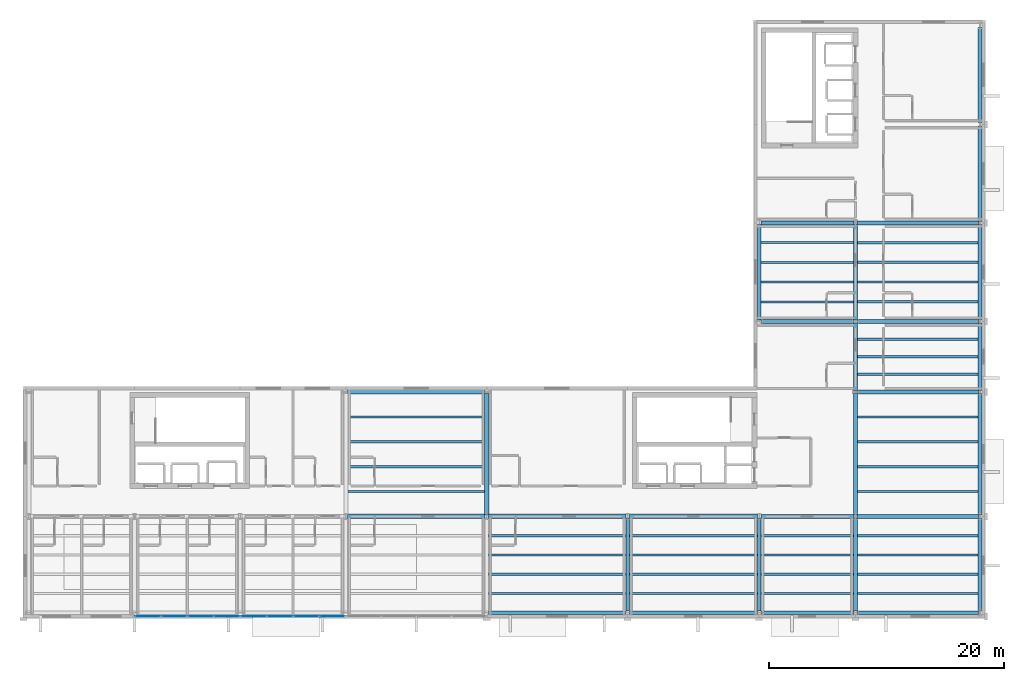
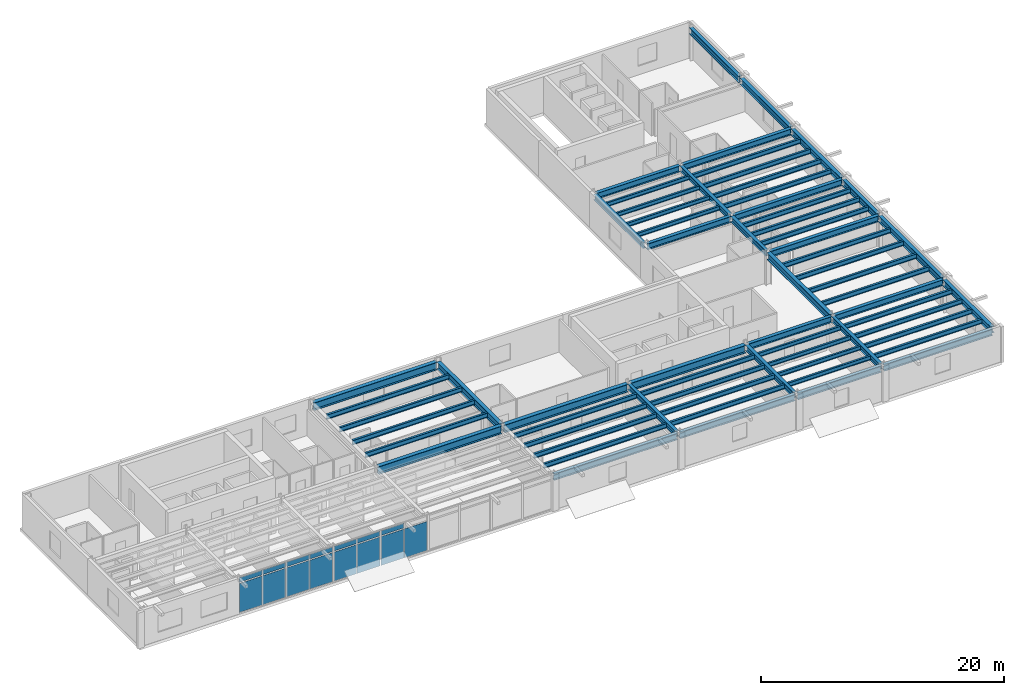
# One storey, part 10 of 19: 64 beams, 15 plates, 4 elements without a shape of their own.
"""IFC4 building model written with IfcOpenShell, lengths in metres."""

from ifc_helpers import new_model, si_unit, direction, frame, origin, origin_2d, place, context, subcontext, project, spatial, rectangle, i_section, extrude, material, layer, layer_set, material_profile, profile_set, type_object, element, aggregate, save


model = new_model("IFC4")

# Units and contexts
model_context = context("Model", 3, precision=1e-05, world=origin(), true_north=direction((0.0, 1.0)))
body_context = subcontext(model_context, "Body", "Model", "MODEL_VIEW")
ifc_project = project(units=[si_unit("LENGTHUNIT", "METRE"), si_unit("AREAUNIT", "SQUARE_METRE"), si_unit("VOLUMEUNIT", "CUBIC_METRE"), si_unit("PLANEANGLEUNIT", "RADIAN"), si_unit("MASSUNIT", "GRAM", prefix="KILO")], contexts=[model_context])

# Site, building, storey
site_placement = place(None, origin())
site = spatial("IfcSite", under=ifc_project, at=site_placement, CompositionType="ELEMENT")
building_placement = place(site_placement, origin())
building = spatial("IfcBuilding", under=site, at=building_placement, Name="Sollismere Congress Hotel", CompositionType="ELEMENT")
storey_placement = place(building_placement, frame((0.0, 0.0, 44.60009765625)))
storey = spatial("IfcBuildingStorey", under=building, at=storey_placement, Name="L11", CompositionType="ELEMENT", Elevation=44.60009765625)

# Beams
ifc_material_1 = material(Name="Steel ASTM A992 Grade 50", Category="steel")
ifc_material_profile_1 = material_profile(ifc_material_1, i_section(OverallWidth=0.31494140625, OverallDepth=0.551025390625, WebThickness=0.01513671875, FlangeThickness=0.0244140625, at=origin_2d()), Name="W21X122")
ifc_profile_set_1 = profile_set([ifc_material_profile_1], Name="Steel ASTM A992 Grade 50")
beam_type_1 = type_object("IfcBeamType", Name="BM-G21H", PredefinedType="BEAM", material=ifc_profile_set_1)
for number, where, z_axis, x_axis, name in (
    (1, (136.0, 0.139892578125, 3.04931640625), (0.0, 1.0, 0.0), (-1.0, 0.0, 0.0), "Beam BM-L11-3770"),
    (2, (147.199951171875, 0.139892578125, 3.04931640625), (0.0, 1.0, 0.0), (-1.0, 0.0, 0.0), "Beam BM-L11-3771"),
):
    element("IfcBeam", number, at=place(storey_placement, frame(where, z_axis=z_axis, x_axis=x_axis)), inside=storey, type_object=beam_type_1, Name=name, PredefinedType="BEAM", context=body_context, shape_type="SweptSolid", body=[
        extrude(i_section(OverallWidth=0.31494140625, OverallDepth=0.551025390625, WebThickness=0.01513671875, FlangeThickness=0.0244140625, at=origin_2d()), origin(), (0.0, 0.0, 1.0), 7.920166015625),
    ])
beam_1_placement = place(storey_placement, frame((147.199951171875, 24.93994140625, 3.04931640625), z_axis=(0.0, 1.0, 0.0), x_axis=(-1.0, 0.0, 0.0)))
element("IfcBeam", 3, at=beam_1_placement, inside=storey, type_object=beam_type_1, Name="Beam BM-L11-3772", PredefinedType="BEAM", context=body_context, shape_type="SweptSolid", body=[
    extrude(i_section(OverallWidth=0.31494140625, OverallDepth=0.551025390625, WebThickness=0.01513671875, FlangeThickness=0.0244140625, at=origin_2d()), origin(), (0.0, 0.0, 1.0), 8.1201171875),
])
beam_2_placement = place(storey_placement, frame((155.39990234375, 0.139892578125, 3.04931640625), z_axis=(0.0, 1.0, 0.0), x_axis=(-1.0, 0.0, 0.0)))
element("IfcBeam", 4, at=beam_2_placement, inside=storey, type_object=beam_type_1, Name="Beam BM-L11-3773", PredefinedType="BEAM", context=body_context, shape_type="SweptSolid", body=[
    extrude(i_section(OverallWidth=0.31494140625, OverallDepth=0.551025390625, WebThickness=0.01513671875, FlangeThickness=0.0244140625, at=origin_2d()), origin(), (0.0, 0.0, 1.0), 7.920166015625),
])
beam_3_placement = place(storey_placement, frame((155.39990234375, 18.93994140625, 3.04931640625), z_axis=(0.0, 1.0, 0.0), x_axis=(-1.0, 0.0, 0.0)))
element("IfcBeam", 5, at=beam_3_placement, inside=storey, type_object=beam_type_1, Name="Beam BM-L11-3775", PredefinedType="BEAM", context=body_context, shape_type="SweptSolid", body=[
    extrude(i_section(OverallWidth=0.31494140625, OverallDepth=0.551025390625, WebThickness=0.01513671875, FlangeThickness=0.0244140625, at=origin_2d()), origin(), (0.0, 0.0, 1.0), 5.719970703125),
])
beam_4_placement = place(storey_placement, frame((155.39990234375, 24.93994140625, 3.04931640625), z_axis=(0.0, 1.0, 0.0), x_axis=(-1.0, 0.0, 0.0)))
element("IfcBeam", 6, at=beam_4_placement, inside=storey, type_object=beam_type_1, Name="Beam BM-L11-3776", PredefinedType="BEAM", context=body_context, shape_type="SweptSolid", body=[
    extrude(i_section(OverallWidth=0.31494140625, OverallDepth=0.551025390625, WebThickness=0.01513671875, FlangeThickness=0.0244140625, at=origin_2d()), origin(), (0.0, 0.0, 1.0), 8.1201171875),
])
ifc_material_profile_2 = material_profile(ifc_material_1, i_section(OverallWidth=0.324951171875, OverallDepth=0.612060546875, WebThickness=0.0126953125, FlangeThickness=0.01904296875, at=origin_2d()), Name="W24X104")
ifc_profile_set_2 = profile_set([ifc_material_profile_2], Name="Steel ASTM A992 Grade 50")
beam_type_2 = type_object("IfcBeamType", Name="BM-G24", PredefinedType="BEAM", material=ifc_profile_set_2)
beam_5_placement = place(storey_placement, frame((147.340087890625, 8.199951171875, 3.018798828125), z_axis=(1.0, 0.0, 0.0), x_axis=(0.0, 1.0, 0.0)))
element("IfcBeam", 7, at=beam_5_placement, inside=storey, type_object=beam_type_2, Name="Beam BM-L11-3754", PredefinedType="BEAM", context=body_context, shape_type="SweptSolid", body=[
    extrude(i_section(OverallWidth=0.324951171875, OverallDepth=0.612060546875, WebThickness=0.0126953125, FlangeThickness=0.01904296875, at=origin_2d()), origin(), (0.0, 0.0, 1.0), 7.919921875),
])
for number, where, z_axis, x_axis, name in (
    (8, (155.5400390625, 8.199951171875, 3.018798828125), (1.0, 0.0, 0.0), (0.0, 1.0, 0.0), "Beam BM-L11-3755"),
    (9, (155.5400390625, 18.800048828125, 3.018798828125), (1.0, 0.0, 0.0), (0.0, 1.0, 0.0), "Beam BM-L11-3757"),
):
    element("IfcBeam", number, at=place(storey_placement, frame(where, z_axis=z_axis, x_axis=x_axis)), inside=storey, type_object=beam_type_2, Name=name, PredefinedType="BEAM", context=body_context, shape_type="SweptSolid", body=[
        extrude(i_section(OverallWidth=0.324951171875, OverallDepth=0.612060546875, WebThickness=0.0126953125, FlangeThickness=0.01904296875, at=origin_2d()), origin(), (0.0, 0.0, 1.0), 10.320068359375),
    ])
beam_6_placement = place(storey_placement, frame((147.340087890625, 24.800048828125, 3.018798828125), z_axis=(1.0, 0.0, 0.0), x_axis=(0.0, 1.0, 0.0)))
element("IfcBeam", 10, at=beam_6_placement, inside=storey, type_object=beam_type_2, Name="Beam BM-L11-3758", PredefinedType="BEAM", context=body_context, shape_type="SweptSolid", body=[
    extrude(i_section(OverallWidth=0.324951171875, OverallDepth=0.612060546875, WebThickness=0.0126953125, FlangeThickness=0.01904296875, at=origin_2d()), origin(), (0.0, 0.0, 1.0), 7.919921875),
])
beam_7_placement = place(storey_placement, frame((155.5400390625, 24.800048828125, 3.018798828125), z_axis=(1.0, 0.0, 0.0), x_axis=(0.0, 1.0, 0.0)))
element("IfcBeam", 11, at=beam_7_placement, inside=storey, type_object=beam_type_2, Name="Beam BM-L11-3759", PredefinedType="BEAM", context=body_context, shape_type="SweptSolid", body=[
    extrude(i_section(OverallWidth=0.324951171875, OverallDepth=0.612060546875, WebThickness=0.0126953125, FlangeThickness=0.01904296875, at=origin_2d()), origin(), (0.0, 0.0, 1.0), 10.320068359375),
])
beam_8_placement = place(storey_placement, frame((147.340087890625, 33.199951171875, 3.018798828125), z_axis=(1.0, 0.0, 0.0), x_axis=(0.0, 1.0, 0.0)))
element("IfcBeam", 12, at=beam_8_placement, inside=storey, type_object=beam_type_2, Name="Beam BM-L11-3760", PredefinedType="BEAM", context=body_context, shape_type="SweptSolid", body=[
    extrude(i_section(OverallWidth=0.324951171875, OverallDepth=0.612060546875, WebThickness=0.0126953125, FlangeThickness=0.01904296875, at=origin_2d()), origin(), (0.0, 0.0, 1.0), 7.919921875),
])
beam_9_placement = place(storey_placement, frame((155.5400390625, 33.199951171875, 3.018798828125), z_axis=(1.0, 0.0, 0.0), x_axis=(0.0, 1.0, 0.0)))
element("IfcBeam", 13, at=beam_9_placement, inside=storey, type_object=beam_type_2, Name="Beam BM-L11-3761", PredefinedType="BEAM", context=body_context, shape_type="SweptSolid", body=[
    extrude(i_section(OverallWidth=0.324951171875, OverallDepth=0.612060546875, WebThickness=0.0126953125, FlangeThickness=0.01904296875, at=origin_2d()), origin(), (0.0, 0.0, 1.0), 10.320068359375),
])
ifc_material_profile_3 = material_profile(ifc_material_1, i_section(OverallWidth=0.35595703125, OverallDepth=0.696044921875, WebThickness=0.015380859375, FlangeThickness=0.025146484375, at=origin_2d()), Name="W27X146")
ifc_profile_set_3 = profile_set([ifc_material_profile_3], Name="Steel ASTM A992 Grade 50")
beam_type_3 = type_object("IfcBeamType", Name="BM-G27", PredefinedType="BEAM", material=ifc_profile_set_3)
for number, where, z_axis, x_axis, name in (
    (14, (124.0, 8.340087890625, 2.976806640625), (0.0, 1.0, 0.0), (-1.0, 0.0, 0.0), "Beam BM-L11-3769"),
    (15, (155.39990234375, 8.340087890625, 2.976806640625), (0.0, 1.0, 0.0), (-1.0, 0.0, 0.0), "Beam BM-L11-3774"),
):
    element("IfcBeam", number, at=place(storey_placement, frame(where, z_axis=z_axis, x_axis=x_axis)), inside=storey, type_object=beam_type_3, Name=name, PredefinedType="BEAM", context=body_context, shape_type="SweptSolid", body=[
        extrude(i_section(OverallWidth=0.35595703125, OverallDepth=0.696044921875, WebThickness=0.015380859375, FlangeThickness=0.025146484375, at=origin_2d()), origin(), (0.0, 0.0, 1.0), 10.31982421875),
    ])
ifc_material_profile_4 = material_profile(ifc_material_1, i_section(OverallWidth=0.384033203125, OverallDepth=0.787109375, WebThickness=0.019775390625, FlangeThickness=0.033447265625, at=origin_2d()), Name="W30X211")
ifc_profile_set_4 = profile_set([ifc_material_profile_4], Name="Steel ASTM A992 Grade 50")
beam_type_4 = type_object("IfcBeamType", Name="BM-G30", PredefinedType="BEAM", material=ifc_profile_set_4)
for number, where, z_axis, x_axis, name in (
    (16, (112.139892578125, 8.199951171875, 2.931396484375), (1.0, 0.0, 0.0), (0.0, 1.0, 0.0), "Beam BM-L11-3751"),
    (17, (124.139892578125, 8.199951171875, 2.931396484375), (1.0, 0.0, 0.0), (0.0, 1.0, 0.0), "Beam BM-L11-3752"),
):
    element("IfcBeam", number, at=place(storey_placement, frame(where, z_axis=z_axis, x_axis=x_axis)), inside=storey, type_object=beam_type_4, Name=name, PredefinedType="BEAM", context=body_context, shape_type="SweptSolid", body=[
        extrude(i_section(OverallWidth=0.384033203125, OverallDepth=0.787109375, WebThickness=0.019775390625, FlangeThickness=0.033447265625, at=origin_2d()), origin(), (0.0, 0.0, 1.0), 11.72021484375),
    ])
beam_10_placement = place(storey_placement, frame((136.139892578125, 8.199951171875, 2.931396484375), z_axis=(1.0, 0.0, 0.0), x_axis=(0.0, 1.0, 0.0)))
element("IfcBeam", 18, at=beam_10_placement, inside=storey, type_object=beam_type_4, Name="Beam BM-L11-3753", PredefinedType="BEAM", context=body_context, shape_type="SweptSolid", body=[
    extrude(i_section(OverallWidth=0.384033203125, OverallDepth=0.787109375, WebThickness=0.019775390625, FlangeThickness=0.033447265625, at=origin_2d()), origin(), (0.0, 0.0, 1.0), 10.920166015625),
])
beam_11_placement = place(storey_placement, frame((112.139892578125, 18.800048828125, 2.931396484375), z_axis=(1.0, 0.0, 0.0), x_axis=(0.0, 1.0, 0.0)))
element("IfcBeam", 19, at=beam_11_placement, inside=storey, type_object=beam_type_4, Name="Beam BM-L11-3756", PredefinedType="BEAM", context=body_context, shape_type="SweptSolid", body=[
    extrude(i_section(OverallWidth=0.384033203125, OverallDepth=0.787109375, WebThickness=0.019775390625, FlangeThickness=0.033447265625, at=origin_2d()), origin(), (0.0, 0.0, 1.0), 11.72021484375),
])
ifc_material_profile_5 = material_profile(ifc_material_1, i_section(OverallWidth=0.180908203125, OverallDepth=0.4169921875, WebThickness=0.010986328125, FlangeThickness=0.018310546875, at=origin_2d()), Name="W16X57")
ifc_profile_set_5 = profile_set([ifc_material_profile_5], Name="Steel ASTM A992 Grade 50")
beam_type_5 = type_object("IfcBeamType", Name="BM-J16", PredefinedType="JOIST", material=ifc_profile_set_5)
for number, where, z_axis, x_axis, name in (
    (20, (147.357421875, 1.639892578125, 3.116455078125), (1.0, 0.0, 0.0), (0.0, 1.0, 0.0), "Beam BM-L11-3811"),
    (21, (147.357421875, 3.280029296875, 3.116455078125), (1.0, 0.0, 0.0), (0.0, 1.0, 0.0), "Beam BM-L11-3812"),
    (22, (147.357421875, 4.919921875, 3.116455078125), (1.0, 0.0, 0.0), (0.0, 1.0, 0.0), "Beam BM-L11-3813"),
    (23, (147.357421875, 6.56005859375, 3.116455078125), (1.0, 0.0, 0.0), (0.0, 1.0, 0.0), "Beam BM-L11-3814"),
    (24, (147.357421875, 26.47998046875, 3.116455078125), (1.0, 0.0, 0.0), (0.0, 1.0, 0.0), "Beam BM-L11-3815"),
    (25, (147.357421875, 28.159912109375, 3.116455078125), (1.0, 0.0, 0.0), (0.0, 1.0, 0.0), "Beam BM-L11-3816"),
    (26, (147.357421875, 29.840087890625, 3.116455078125), (1.0, 0.0, 0.0), (0.0, 1.0, 0.0), "Beam BM-L11-3817"),
    (27, (147.357421875, 31.52001953125, 3.116455078125), (1.0, 0.0, 0.0), (0.0, 1.0, 0.0), "Beam BM-L11-3818"),
):
    element("IfcBeam", number, at=place(storey_placement, frame(where, z_axis=z_axis, x_axis=x_axis)), inside=storey, type_object=beam_type_5, Name=name, PredefinedType="JOIST", context=body_context, shape_type="SweptSolid", body=[
        extrude(i_section(OverallWidth=0.180908203125, OverallDepth=0.4169921875, WebThickness=0.010986328125, FlangeThickness=0.018310546875, at=origin_2d()), origin(), (0.0, 0.0, 1.0), 7.885009765625),
    ])
ifc_material_profile_6 = material_profile(ifc_material_1, i_section(OverallWidth=0.193115234375, OverallDepth=0.467041015625, WebThickness=0.011474609375, FlangeThickness=0.01904296875, at=origin_2d()), Name="W18X65")
ifc_profile_set_6 = profile_set([ifc_material_profile_6], Name="Steel ASTM A992 Grade 50")
beam_type_6 = type_object("IfcBeamType", Name="BM-J18", PredefinedType="JOIST", material=ifc_profile_set_6)
for number, where, z_axis, x_axis, name in (
    (28, (112.177978515625, 10.320068359375, 3.09130859375), (1.0, 0.0, 0.0), (0.0, 1.0, 0.0), "Beam BM-L11-3799"),
    (29, (112.177978515625, 12.43994140625, 3.09130859375), (1.0, 0.0, 0.0), (0.0, 1.0, 0.0), "Beam BM-L11-3800"),
    (30, (112.177978515625, 14.56005859375, 3.09130859375), (1.0, 0.0, 0.0), (0.0, 1.0, 0.0), "Beam BM-L11-3801"),
    (31, (112.177978515625, 16.679931640625, 3.09130859375), (1.0, 0.0, 0.0), (0.0, 1.0, 0.0), "Beam BM-L11-3802"),
):
    element("IfcBeam", number, at=place(storey_placement, frame(where, z_axis=z_axis, x_axis=x_axis)), inside=storey, type_object=beam_type_6, Name=name, PredefinedType="JOIST", context=body_context, shape_type="SweptSolid", body=[
        extrude(i_section(OverallWidth=0.193115234375, OverallDepth=0.467041015625, WebThickness=0.011474609375, FlangeThickness=0.01904296875, at=origin_2d()), origin(), (0.0, 0.0, 1.0), 11.64404296875),
    ])
for number, where, z_axis, x_axis, name in (
    (32, (124.157470703125, 1.639892578125, 3.09130859375), (1.0, 0.0, 0.0), (0.0, 1.0, 0.0), "Beam BM-L11-3803"),
    (33, (124.157470703125, 3.280029296875, 3.09130859375), (1.0, 0.0, 0.0), (0.0, 1.0, 0.0), "Beam BM-L11-3804"),
    (34, (124.157470703125, 4.919921875, 3.09130859375), (1.0, 0.0, 0.0), (0.0, 1.0, 0.0), "Beam BM-L11-3805"),
    (35, (124.157470703125, 6.56005859375, 3.09130859375), (1.0, 0.0, 0.0), (0.0, 1.0, 0.0), "Beam BM-L11-3806"),
):
    element("IfcBeam", number, at=place(storey_placement, frame(where, z_axis=z_axis, x_axis=x_axis)), inside=storey, type_object=beam_type_6, Name=name, PredefinedType="JOIST", context=body_context, shape_type="SweptSolid", body=[
        extrude(i_section(OverallWidth=0.193115234375, OverallDepth=0.467041015625, WebThickness=0.011474609375, FlangeThickness=0.01904296875, at=origin_2d()), origin(), (0.0, 0.0, 1.0), 11.68505859375),
    ])
for number, where, z_axis, x_axis, name in (
    (36, (136.157470703125, 1.639892578125, 3.09130859375), (1.0, 0.0, 0.0), (0.0, 1.0, 0.0), "Beam BM-L11-3807"),
    (37, (136.157470703125, 3.280029296875, 3.09130859375), (1.0, 0.0, 0.0), (0.0, 1.0, 0.0), "Beam BM-L11-3808"),
    (38, (136.157470703125, 4.919921875, 3.09130859375), (1.0, 0.0, 0.0), (0.0, 1.0, 0.0), "Beam BM-L11-3809"),
    (39, (136.157470703125, 6.56005859375, 3.09130859375), (1.0, 0.0, 0.0), (0.0, 1.0, 0.0), "Beam BM-L11-3810"),
):
    element("IfcBeam", number, at=place(storey_placement, frame(where, z_axis=z_axis, x_axis=x_axis)), inside=storey, type_object=beam_type_6, Name=name, PredefinedType="JOIST", context=body_context, shape_type="SweptSolid", body=[
        extrude(i_section(OverallWidth=0.193115234375, OverallDepth=0.467041015625, WebThickness=0.011474609375, FlangeThickness=0.01904296875, at=origin_2d()), origin(), (0.0, 0.0, 1.0), 10.885009765625),
    ])
for number, where, z_axis, x_axis, name in (
    (40, (155.5576171875, 1.639892578125, 3.09130859375), (1.0, 0.0, 0.0), (0.0, 1.0, 0.0), "Beam BM-L11-3819"),
    (41, (155.5576171875, 3.280029296875, 3.09130859375), (1.0, 0.0, 0.0), (0.0, 1.0, 0.0), "Beam BM-L11-3820"),
    (42, (155.5576171875, 4.919921875, 3.09130859375), (1.0, 0.0, 0.0), (0.0, 1.0, 0.0), "Beam BM-L11-3821"),
    (43, (155.5576171875, 6.56005859375, 3.09130859375), (1.0, 0.0, 0.0), (0.0, 1.0, 0.0), "Beam BM-L11-3822"),
):
    element("IfcBeam", number, at=place(storey_placement, frame(where, z_axis=z_axis, x_axis=x_axis)), inside=storey, type_object=beam_type_6, Name=name, PredefinedType="JOIST", context=body_context, shape_type="SweptSolid", body=[
        extrude(i_section(OverallWidth=0.193115234375, OverallDepth=0.467041015625, WebThickness=0.011474609375, FlangeThickness=0.01904296875, at=origin_2d()), origin(), (0.0, 0.0, 1.0), 10.27734375),
    ])
for number, where, z_axis, x_axis, name in (
    (44, (155.577880859375, 10.320068359375, 3.09130859375), (1.0, 0.0, 0.0), (0.0, 1.0, 0.0), "Beam BM-L11-3823"),
    (45, (155.577880859375, 12.43994140625, 3.09130859375), (1.0, 0.0, 0.0), (0.0, 1.0, 0.0), "Beam BM-L11-3824"),
    (46, (155.577880859375, 14.56005859375, 3.09130859375), (1.0, 0.0, 0.0), (0.0, 1.0, 0.0), "Beam BM-L11-3825"),
    (47, (155.577880859375, 16.679931640625, 3.09130859375), (1.0, 0.0, 0.0), (0.0, 1.0, 0.0), "Beam BM-L11-3826"),
):
    element("IfcBeam", number, at=place(storey_placement, frame(where, z_axis=z_axis, x_axis=x_axis)), inside=storey, type_object=beam_type_6, Name=name, PredefinedType="JOIST", context=body_context, shape_type="SweptSolid", body=[
        extrude(i_section(OverallWidth=0.193115234375, OverallDepth=0.467041015625, WebThickness=0.011474609375, FlangeThickness=0.01904296875, at=origin_2d()), origin(), (0.0, 0.0, 1.0), 10.257080078125),
    ])
for number, where, z_axis, x_axis, name in (
    (48, (155.5576171875, 20.300048828125, 3.09130859375), (1.0, 0.0, 0.0), (0.0, 1.0, 0.0), "Beam BM-L11-3827"),
    (49, (155.5576171875, 21.800048828125, 3.09130859375), (1.0, 0.0, 0.0), (0.0, 1.0, 0.0), "Beam BM-L11-3828"),
    (50, (155.5576171875, 23.300048828125, 3.09130859375), (1.0, 0.0, 0.0), (0.0, 1.0, 0.0), "Beam BM-L11-3829"),
    (51, (155.5576171875, 26.47998046875, 3.09130859375), (1.0, 0.0, 0.0), (0.0, 1.0, 0.0), "Beam BM-L11-3830"),
    (52, (155.5576171875, 28.159912109375, 3.09130859375), (1.0, 0.0, 0.0), (0.0, 1.0, 0.0), "Beam BM-L11-3831"),
    (53, (155.5576171875, 29.840087890625, 3.09130859375), (1.0, 0.0, 0.0), (0.0, 1.0, 0.0), "Beam BM-L11-3832"),
    (54, (155.5576171875, 31.52001953125, 3.09130859375), (1.0, 0.0, 0.0), (0.0, 1.0, 0.0), "Beam BM-L11-3833"),
):
    element("IfcBeam", number, at=place(storey_placement, frame(where, z_axis=z_axis, x_axis=x_axis)), inside=storey, type_object=beam_type_6, Name=name, PredefinedType="JOIST", context=body_context, shape_type="SweptSolid", body=[
        extrude(i_section(OverallWidth=0.193115234375, OverallDepth=0.467041015625, WebThickness=0.011474609375, FlangeThickness=0.01904296875, at=origin_2d()), origin(), (0.0, 0.0, 1.0), 10.27734375),
    ])
ifc_material_profile_7 = material_profile(ifc_material_1, i_section(OverallWidth=0.330078125, OverallDepth=0.635009765625, WebThickness=0.017822265625, FlangeThickness=0.031005859375, at=origin_2d()), Name="W24X162")
ifc_profile_set_7 = profile_set([ifc_material_profile_7], Name="Steel ASTM A992 Grade 50")
beam_type_7 = type_object("IfcBeamType", Name="BM-SP24E", PredefinedType="SPANDREL", material=ifc_profile_set_7)
beam_12_placement = place(storey_placement, frame((124.139892578125, 0.0, 3.00732421875), z_axis=(1.0, 0.0, 0.0), x_axis=(0.0, 1.0, 0.0)))
element("IfcBeam", 55, at=beam_12_placement, inside=storey, type_object=beam_type_7, Name="Beam BM-L11-3744", PredefinedType="SPANDREL", context=body_context, shape_type="SweptSolid", body=[
    extrude(i_section(OverallWidth=0.330078125, OverallDepth=0.635009765625, WebThickness=0.017822265625, FlangeThickness=0.031005859375, at=origin_2d()), origin(), (0.0, 0.0, 1.0), 11.72021484375),
])
beam_13_placement = place(storey_placement, frame((136.139892578125, 0.0, 3.00732421875), z_axis=(1.0, 0.0, 0.0), x_axis=(0.0, 1.0, 0.0)))
element("IfcBeam", 56, at=beam_13_placement, inside=storey, type_object=beam_type_7, Name="Beam BM-L11-3745", PredefinedType="SPANDREL", context=body_context, shape_type="SweptSolid", body=[
    extrude(i_section(OverallWidth=0.330078125, OverallDepth=0.635009765625, WebThickness=0.017822265625, FlangeThickness=0.031005859375, at=origin_2d()), origin(), (0.0, 0.0, 1.0), 10.920166015625),
])
beam_14_placement = place(storey_placement, frame((147.340087890625, 0.0, 3.00732421875), z_axis=(1.0, 0.0, 0.0), x_axis=(0.0, 1.0, 0.0)))
element("IfcBeam", 57, at=beam_14_placement, inside=storey, type_object=beam_type_7, Name="Beam BM-L11-3746", PredefinedType="SPANDREL", context=body_context, shape_type="SweptSolid", body=[
    extrude(i_section(OverallWidth=0.330078125, OverallDepth=0.635009765625, WebThickness=0.017822265625, FlangeThickness=0.031005859375, at=origin_2d()), origin(), (0.0, 0.0, 1.0), 7.919921875),
])
beam_15_placement = place(storey_placement, frame((155.5400390625, 0.0, 3.00732421875), z_axis=(1.0, 0.0, 0.0), x_axis=(0.0, 1.0, 0.0)))
element("IfcBeam", 58, at=beam_15_placement, inside=storey, type_object=beam_type_7, Name="Beam BM-L11-3747", PredefinedType="SPANDREL", context=body_context, shape_type="SweptSolid", body=[
    extrude(i_section(OverallWidth=0.330078125, OverallDepth=0.635009765625, WebThickness=0.017822265625, FlangeThickness=0.031005859375, at=origin_2d()), origin(), (0.0, 0.0, 1.0), 10.320068359375),
])
beam_16_placement = place(storey_placement, frame((166.0, 0.139892578125, 3.00732421875), z_axis=(0.0, 1.0, 0.0), x_axis=(-1.0, 0.0, 0.0)))
element("IfcBeam", 59, at=beam_16_placement, inside=storey, type_object=beam_type_7, Name="Beam BM-L11-3777", PredefinedType="SPANDREL", context=body_context, shape_type="SweptSolid", body=[
    extrude(i_section(OverallWidth=0.330078125, OverallDepth=0.635009765625, WebThickness=0.017822265625, FlangeThickness=0.031005859375, at=origin_2d()), origin(), (0.0, 0.0, 1.0), 7.920166015625),
])
beam_17_placement = place(storey_placement, frame((166.0, 8.340087890625, 3.00732421875), z_axis=(0.0, 1.0, 0.0), x_axis=(-1.0, 0.0, 0.0)))
element("IfcBeam", 60, at=beam_17_placement, inside=storey, type_object=beam_type_7, Name="Beam BM-L11-3778", PredefinedType="SPANDREL", context=body_context, shape_type="SweptSolid", body=[
    extrude(i_section(OverallWidth=0.330078125, OverallDepth=0.635009765625, WebThickness=0.017822265625, FlangeThickness=0.031005859375, at=origin_2d()), origin(), (0.0, 0.0, 1.0), 10.31982421875),
])
beam_18_placement = place(storey_placement, frame((166.0, 18.93994140625, 3.00732421875), z_axis=(0.0, 1.0, 0.0), x_axis=(-1.0, 0.0, 0.0)))
element("IfcBeam", 61, at=beam_18_placement, inside=storey, type_object=beam_type_7, Name="Beam BM-L11-3779", PredefinedType="SPANDREL", context=body_context, shape_type="SweptSolid", body=[
    extrude(i_section(OverallWidth=0.330078125, OverallDepth=0.635009765625, WebThickness=0.017822265625, FlangeThickness=0.031005859375, at=origin_2d()), origin(), (0.0, 0.0, 1.0), 5.719970703125),
])
beam_19_placement = place(storey_placement, frame((166.0, 24.93994140625, 3.00732421875), z_axis=(0.0, 1.0, 0.0), x_axis=(-1.0, 0.0, 0.0)))
element("IfcBeam", 62, at=beam_19_placement, inside=storey, type_object=beam_type_7, Name="Beam BM-L11-3780", PredefinedType="SPANDREL", context=body_context, shape_type="SweptSolid", body=[
    extrude(i_section(OverallWidth=0.330078125, OverallDepth=0.635009765625, WebThickness=0.017822265625, FlangeThickness=0.031005859375, at=origin_2d()), origin(), (0.0, 0.0, 1.0), 8.1201171875),
])
beam_20_placement = place(storey_placement, frame((166.0, 33.340087890625, 3.00732421875), z_axis=(0.0, 1.0, 0.0), x_axis=(-1.0, 0.0, 0.0)))
element("IfcBeam", 63, at=beam_20_placement, inside=storey, type_object=beam_type_7, Name="Beam BM-L11-3781", PredefinedType="SPANDREL", context=body_context, shape_type="SweptSolid", body=[
    extrude(i_section(OverallWidth=0.330078125, OverallDepth=0.635009765625, WebThickness=0.017822265625, FlangeThickness=0.031005859375, at=origin_2d()), origin(), (0.0, 0.0, 1.0), 8.119873046875),
])
beam_21_placement = place(storey_placement, frame((166.0, 41.739990234375, 3.00732421875), z_axis=(0.0, 1.0, 0.0), x_axis=(-1.0, 0.0, 0.0)))
element("IfcBeam", 64, at=beam_21_placement, inside=storey, type_object=beam_type_7, Name="Beam BM-L11-3782", PredefinedType="SPANDREL", context=body_context, shape_type="SweptSolid", body=[
    extrude(i_section(OverallWidth=0.330078125, OverallDepth=0.635009765625, WebThickness=0.017822265625, FlangeThickness=0.031005859375, at=origin_2d()), origin(), (0.0, 0.0, 1.0), 8.1201171875),
])

# Curtain wall, plates
ifc_material_2 = material(Name="Anodized Bronze Curtain Wall & Low-E Triple Glazing", Category="glass")
ifc_layer_1 = layer(ifc_material_2, 0.199951171875, Name="Anodized Bronze Curtain Wall & Low-E Triple Glazing")
ifc_layer_set_1 = layer_set([ifc_layer_1], Name="Anodized Bronze Curtain Wall & Low-E Triple Glazing")
curtain_wall_type = type_object("IfcCurtainWallType", Name="CW-GLZ36", PredefinedType="USERDEFINED", material=ifc_layer_set_1)
curtain_wall_1_placement = place(storey_placement, origin())
curtain_wall_1 = element("IfcCurtainWall", 65, at=curtain_wall_1_placement, inside=storey, type_object=curtain_wall_type, Name="Unitised curtain wall CW-L11-159", ObjectType="UNITISED CURTAIN WALL", PredefinedType="USERDEFINED")
ifc_material_3 = material(Name="Blue-Tinted Solar-Control Low-E Vision Glass", Category="glass")
ifc_layer_2 = layer(ifc_material_3, 0.035888671875, Name="Blue-Tinted Solar-Control Low-E Vision Glass")
ifc_layer_set_2 = layer_set([ifc_layer_2], Name="Blue-Tinted Solar-Control Low-E Vision Glass")
plate_type_1 = type_object("IfcPlateType", Name="PL-CWGLZ", PredefinedType="CURTAIN_PANEL", material=ifc_layer_set_2)
plate_1_placement = place(storey_placement, frame((95.151611328125, -0.31005859375, 0.052978515625), z_axis=(0.0, 0.0, 1.0), x_axis=(1.0, 0.0, 0.0)))
plate_1 = element("IfcPlate", 66, at=plate_1_placement, type_object=plate_type_1, Name="CWL-CW-L11-159-VP01", PredefinedType="CURTAIN_PANEL", context=body_context, shape_type="SweptSolid", body=[
    extrude(rectangle(XDim=2.156005859375, YDim=0.035888671875, at=origin_2d()), origin(), (0.0, 0.0, 1.0), 2.9130859375),
])
plate_2_placement = place(storey_placement, frame((97.3583984375, -0.31005859375, 0.052978515625), z_axis=(0.0, 0.0, 1.0), x_axis=(1.0, 0.0, 0.0)))
plate_2 = element("IfcPlate", 67, at=plate_2_placement, type_object=plate_type_1, Name="CWL-CW-L11-159-VP02", PredefinedType="CURTAIN_PANEL", context=body_context, shape_type="SweptSolid", body=[
    extrude(rectangle(XDim=2.156005859375, YDim=0.035888671875, at=origin_2d()), origin(), (0.0, 0.0, 1.0), 2.9130859375),
])

curtain_wall_2_placement = place(storey_placement, origin())
curtain_wall_2 = element("IfcCurtainWall", 68, at=curtain_wall_2_placement, inside=storey, type_object=curtain_wall_type, Name="Unitised curtain wall CW-L11-160", ObjectType="UNITISED CURTAIN WALL", PredefinedType="USERDEFINED")
plate_3_placement = place(storey_placement, frame((99.6416015625, -0.31005859375, 0.052978515625), z_axis=(0.0, 0.0, 1.0), x_axis=(1.0, 0.0, 0.0)))
plate_3 = element("IfcPlate", 69, at=plate_3_placement, type_object=plate_type_1, Name="CWL-CW-L11-160-VP01", PredefinedType="CURTAIN_PANEL", context=body_context, shape_type="SweptSolid", body=[
    extrude(rectangle(XDim=2.156005859375, YDim=0.035888671875, at=origin_2d()), origin(), (0.0, 0.0, 1.0), 2.9130859375),
])
plate_4_placement = place(storey_placement, frame((101.848388671875, -0.31005859375, 0.052978515625), z_axis=(0.0, 0.0, 1.0), x_axis=(1.0, 0.0, 0.0)))
plate_4 = element("IfcPlate", 70, at=plate_4_placement, type_object=plate_type_1, Name="CWL-CW-L11-160-VP02", PredefinedType="CURTAIN_PANEL", context=body_context, shape_type="SweptSolid", body=[
    extrude(rectangle(XDim=2.156005859375, YDim=0.035888671875, at=origin_2d()), origin(), (0.0, 0.0, 1.0), 2.9130859375),
])

curtain_wall_3_placement = place(storey_placement, origin())
curtain_wall_3 = element("IfcCurtainWall", 71, at=curtain_wall_3_placement, inside=storey, type_object=curtain_wall_type, Name="Unitised curtain wall CW-L11-161", ObjectType="UNITISED CURTAIN WALL", PredefinedType="USERDEFINED")
plate_5_placement = place(storey_placement, frame((104.151611328125, -0.31005859375, 0.052978515625), z_axis=(0.0, 0.0, 1.0), x_axis=(1.0, 0.0, 0.0)))
plate_5 = element("IfcPlate", 72, at=plate_5_placement, type_object=plate_type_1, Name="CWL-CW-L11-161-VP01", PredefinedType="CURTAIN_PANEL", context=body_context, shape_type="SweptSolid", body=[
    extrude(rectangle(XDim=2.156005859375, YDim=0.035888671875, at=origin_2d()), origin(), (0.0, 0.0, 1.0), 2.9130859375),
])
plate_6_placement = place(storey_placement, frame((106.3583984375, -0.31005859375, 0.052978515625), z_axis=(0.0, 0.0, 1.0), x_axis=(1.0, 0.0, 0.0)))
plate_6 = element("IfcPlate", 73, at=plate_6_placement, type_object=plate_type_1, Name="CWL-CW-L11-161-VP02", PredefinedType="CURTAIN_PANEL", context=body_context, shape_type="SweptSolid", body=[
    extrude(rectangle(XDim=2.156005859375, YDim=0.035888671875, at=origin_2d()), origin(), (0.0, 0.0, 1.0), 2.9130859375),
])

curtain_wall_4_placement = place(storey_placement, origin())
curtain_wall_4 = element("IfcCurtainWall", 74, at=curtain_wall_4_placement, inside=storey, type_object=curtain_wall_type, Name="Unitised curtain wall CW-L11-162", ObjectType="UNITISED CURTAIN WALL", PredefinedType="USERDEFINED")
plate_7_placement = place(storey_placement, frame((108.6416015625, -0.31005859375, 0.052978515625), z_axis=(0.0, 0.0, 1.0), x_axis=(1.0, 0.0, 0.0)))
plate_7 = element("IfcPlate", 75, at=plate_7_placement, type_object=plate_type_1, Name="CWL-CW-L11-162-VP01", PredefinedType="CURTAIN_PANEL", context=body_context, shape_type="SweptSolid", body=[
    extrude(rectangle(XDim=2.156005859375, YDim=0.035888671875, at=origin_2d()), origin(), (0.0, 0.0, 1.0), 2.9130859375),
])
plate_8_placement = place(storey_placement, frame((110.848388671875, -0.31005859375, 0.052978515625), z_axis=(0.0, 0.0, 1.0), x_axis=(1.0, 0.0, 0.0)))
plate_8 = element("IfcPlate", 76, at=plate_8_placement, type_object=plate_type_1, Name="CWL-CW-L11-162-VP02", PredefinedType="CURTAIN_PANEL", context=body_context, shape_type="SweptSolid", body=[
    extrude(rectangle(XDim=2.156005859375, YDim=0.035888671875, at=origin_2d()), origin(), (0.0, 0.0, 1.0), 2.9130859375),
])

# Plate
ifc_material_4 = material(Name="Anodized Bronze Insulated Spandrel Panel")
ifc_layer_3 = layer(ifc_material_4, 0.044921875, Name="Anodized Bronze Insulated Spandrel Panel")
ifc_layer_set_3 = layer_set([ifc_layer_3], Name="Anodized Bronze Insulated Spandrel Panel")
plate_type_2 = type_object("IfcPlateType", Name="PL-CWSPN", PredefinedType="SHEET", material=ifc_layer_set_3)
plate_9_placement = place(storey_placement, frame((95.151611328125, -0.31005859375, 3.08203125), z_axis=(0.0, 0.0, 1.0), x_axis=(1.0, 0.0, 0.0)))
plate_9 = element("IfcPlate", 77, at=plate_9_placement, type_object=plate_type_2, Name="CWL-CW-L11-159-SP01", PredefinedType="SHEET", context=body_context, shape_type="SweptSolid", body=[
    extrude(rectangle(XDim=2.156005859375, YDim=0.044921875, at=origin_2d()), origin(), (0.0, 0.0, 1.0), 0.465087890625),
])

plate_10_placement = place(storey_placement, frame((97.3583984375, -0.31005859375, 3.08203125), z_axis=(0.0, 0.0, 1.0), x_axis=(1.0, 0.0, 0.0)))
plate_10 = element("IfcPlate", 78, at=plate_10_placement, type_object=plate_type_2, Name="CWL-CW-L11-159-SP02", PredefinedType="SHEET", context=body_context, shape_type="SweptSolid", body=[
    extrude(rectangle(XDim=2.156005859375, YDim=0.044921875, at=origin_2d()), origin(), (0.0, 0.0, 1.0), 0.465087890625),
])

aggregate(curtain_wall_1, [plate_1, plate_9, plate_2, plate_10])

plate_11_placement = place(storey_placement, frame((99.6416015625, -0.31005859375, 3.08203125), z_axis=(0.0, 0.0, 1.0), x_axis=(1.0, 0.0, 0.0)))
plate_11 = element("IfcPlate", 79, at=plate_11_placement, type_object=plate_type_2, Name="CWL-CW-L11-160-SP01", PredefinedType="SHEET", context=body_context, shape_type="SweptSolid", body=[
    extrude(rectangle(XDim=2.156005859375, YDim=0.044921875, at=origin_2d()), origin(), (0.0, 0.0, 1.0), 0.465087890625),
])

plate_12_placement = place(storey_placement, frame((101.848388671875, -0.31005859375, 3.08203125), z_axis=(0.0, 0.0, 1.0), x_axis=(1.0, 0.0, 0.0)))
plate_12 = element("IfcPlate", 80, at=plate_12_placement, type_object=plate_type_2, Name="CWL-CW-L11-160-SP02", PredefinedType="SHEET", context=body_context, shape_type="SweptSolid", body=[
    extrude(rectangle(XDim=2.156005859375, YDim=0.044921875, at=origin_2d()), origin(), (0.0, 0.0, 1.0), 0.465087890625),
])

aggregate(curtain_wall_2, [plate_3, plate_11, plate_4, plate_12])

plate_13_placement = place(storey_placement, frame((104.151611328125, -0.31005859375, 3.08203125), z_axis=(0.0, 0.0, 1.0), x_axis=(1.0, 0.0, 0.0)))
plate_13 = element("IfcPlate", 81, at=plate_13_placement, type_object=plate_type_2, Name="CWL-CW-L11-161-SP01", PredefinedType="SHEET", context=body_context, shape_type="SweptSolid", body=[
    extrude(rectangle(XDim=2.156005859375, YDim=0.044921875, at=origin_2d()), origin(), (0.0, 0.0, 1.0), 0.465087890625),
])

plate_14_placement = place(storey_placement, frame((106.3583984375, -0.31005859375, 3.08203125), z_axis=(0.0, 0.0, 1.0), x_axis=(1.0, 0.0, 0.0)))
plate_14 = element("IfcPlate", 82, at=plate_14_placement, type_object=plate_type_2, Name="CWL-CW-L11-161-SP02", PredefinedType="SHEET", context=body_context, shape_type="SweptSolid", body=[
    extrude(rectangle(XDim=2.156005859375, YDim=0.044921875, at=origin_2d()), origin(), (0.0, 0.0, 1.0), 0.465087890625),
])

aggregate(curtain_wall_3, [plate_5, plate_13, plate_6, plate_14])

plate_15_placement = place(storey_placement, frame((108.6416015625, -0.31005859375, 3.08203125), z_axis=(0.0, 0.0, 1.0), x_axis=(1.0, 0.0, 0.0)))
plate_15 = element("IfcPlate", 83, at=plate_15_placement, type_object=plate_type_2, Name="CWL-CW-L11-162-SP01", PredefinedType="SHEET", context=body_context, shape_type="SweptSolid", body=[
    extrude(rectangle(XDim=2.156005859375, YDim=0.044921875, at=origin_2d()), origin(), (0.0, 0.0, 1.0), 0.465087890625),
])

aggregate(curtain_wall_4, [plate_7, plate_15, plate_8])

save(model, "model.ifc")
